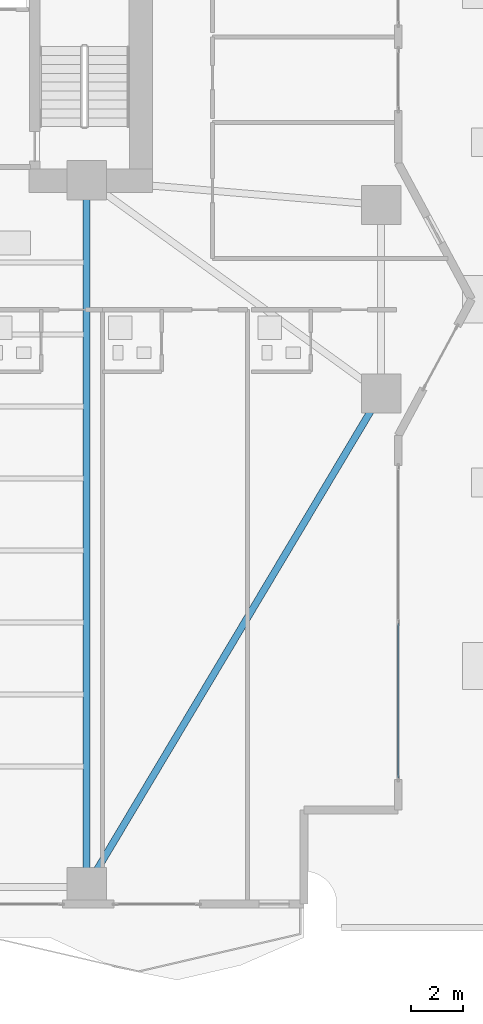
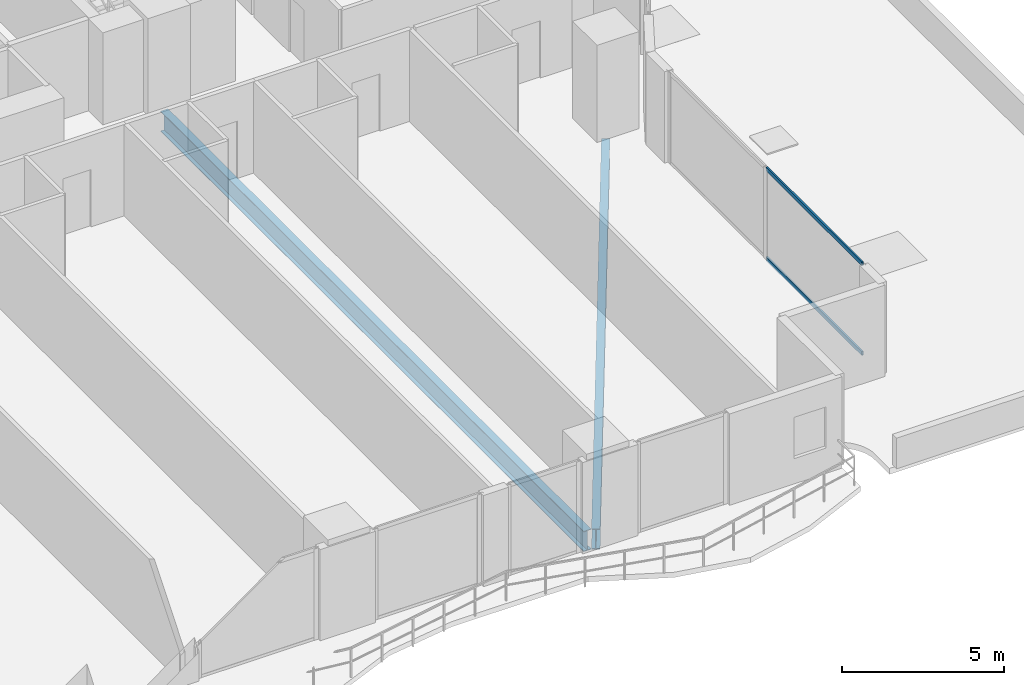
# One storey, part 9 of 30: 2 beams, 2 members, 1 element without a shape of its own.
"""IFC4 building model written with IfcOpenShell, lengths in metres."""

import ifcopenshell
import ifcopenshell.guid

model = None  # the IFC model being written
_history = None  # IfcOwnerHistory: only IFC2X3 demands one
_inside = {}  # id of a spatial element -> (the spatial element, [elements in it])
_under = {}  # id of a project, library or spatial element -> (it, [spatial elements below it])
_declared = {}  # id of a project -> (the project, [libraries it declares])
_typed = {}  # id of a type object -> (the type object, [elements of that type])
_made_of = {}  # id of a material, layer set ... -> (it, [elements and type objects made of it])


def new_model(schema):
    """Start an empty IFC model of exactly this schema.

    Asked for "IFC4X3", IfcOpenShell would pick the latest addendum, in which some entities
    have other attributes; the version numbers below select the first issue.
    IFC2X3 requires an IfcOwnerHistory on every rooted entity: one is made here for all.
    """
    global model, _history
    if schema == "IFC4X3":
        model = ifcopenshell.file(schema_version=(4, 3, 0, 0))
    else:
        model = ifcopenshell.file(schema=schema)
    _inside.clear()
    _under.clear()
    _declared.clear()
    _typed.clear()
    _made_of.clear()
    _history = None
    if model.schema == "IFC2X3":
        org = make("IfcOrganization", Name="unknown")
        user = make(
            "IfcPersonAndOrganization",
            ThePerson=make("IfcPerson", FamilyName="unknown"),
            TheOrganization=org,
        )
        app = make(
            "IfcApplication",
            ApplicationDeveloper=org,
            Version="unknown",
            ApplicationFullName="unknown",
            ApplicationIdentifier="unknown",
        )
        _history = make(
            "IfcOwnerHistory",
            OwningUser=user,
            OwningApplication=app,
            ChangeAction="ADDED",
            CreationDate=0,
        )
    return model


def make(cls, **values):
    """One entity of the class cls with the attributes given. An attribute that is None is left unset."""
    return model.create_entity(
        cls, **{name: value for name, value in values.items() if value is not None}
    )


def rooted(cls, **values):
    """An entity with a GlobalId (a new one), such as an element, a storey or a relation."""
    return make(cls, GlobalId=ifcopenshell.guid.new(), OwnerHistory=_history, **values)


def si_unit(unit_type, name, prefix=None):
    """IfcSIUnit, for example si_unit("LENGTHUNIT", "METRE", prefix="MILLI")."""
    return make("IfcSIUnit", UnitType=unit_type, Prefix=prefix, Name=name)


def assignment(units):
    """IfcUnitAssignment: the units of a project."""
    return None if units is None else make("IfcUnitAssignment", Units=units)


def point(xyz):
    """IfcCartesianPoint."""
    return None if xyz is None else make("IfcCartesianPoint", Coordinates=xyz)


def direction(xyz):
    """IfcDirection."""
    return None if xyz is None else make("IfcDirection", DirectionRatios=xyz)


def frame(location, z_axis=None, x_axis=None):
    """IfcAxis2Placement3D, a coordinate frame: its origin and axes. An axis left out is left unset."""
    return make(
        "IfcAxis2Placement3D",
        Location=point(location),
        Axis=direction(z_axis),
        RefDirection=direction(x_axis),
    )


def frame_2d(location, x_axis=None):
    """IfcAxis2Placement2D, a coordinate frame in the plane: its origin and x axis."""
    return make(
        "IfcAxis2Placement2D", Location=point(location), RefDirection=direction(x_axis)
    )


def origin():
    """The frame at (0, 0, 0) with its axes left unset."""
    return frame((0.0, 0.0, 0.0))


def origin_2d():
    """The frame at (0, 0) in the plane with its x axis left unset."""
    return frame_2d((0.0, 0.0))


def place(relative_to, where):
    """IfcLocalPlacement: puts the frame where relative to a parent placement (None: the world)."""
    return make(
        "IfcLocalPlacement", PlacementRelTo=relative_to, RelativePlacement=where
    )


def context(
    kind, dimensions, precision=None, world=None, true_north=None, identifier=None
):
    """IfcGeometricRepresentationContext, for example the 3D "Model" context."""
    return make(
        "IfcGeometricRepresentationContext",
        ContextIdentifier=identifier,
        ContextType=kind,
        CoordinateSpaceDimension=dimensions,
        Precision=precision,
        WorldCoordinateSystem=world,
        TrueNorth=true_north,
    )


def subcontext(parent, identifier, kind, view, scale=None):
    """IfcGeometricRepresentationSubContext, for example "Body" below "Model"."""
    return make(
        "IfcGeometricRepresentationSubContext",
        ContextIdentifier=identifier,
        ContextType=kind,
        ParentContext=parent,
        TargetScale=scale,
        TargetView=view,
    )


def project(units=None, contexts=None):
    """IfcProject with its units and contexts."""
    return rooted(
        "IfcProject",
        Name="project",
        RepresentationContexts=contexts,
        UnitsInContext=assignment(units),
    )


def spatial(cls, under=None, at=None, **own):
    """A site, building, storey or space (cls), placed at a placement, below another one or the project."""
    s = rooted(cls, ObjectPlacement=at, **own)
    if under is not None:
        _under.setdefault(under.id(), (under, []))[1].append(s)
    return s


def profile(cls, at=None, kind="AREA", **sizes):
    """A parametric profile (cls). Its sizes go by their IFC names, for example OverallWidth=200.0."""
    return make(cls, ProfileType=kind, Position=at, **sizes)


def hollow_rectangle(**sizes):
    """IfcRectangleHollowProfileDef."""
    return profile("IfcRectangleHollowProfileDef", **sizes)


def i_section(**sizes):
    """IfcIShapeProfileDef."""
    return profile("IfcIShapeProfileDef", **sizes)


def extrude(swept, where, along, depth):
    """IfcExtrudedAreaSolid: the profile swept, set in the frame where, extruded along a direction by depth."""
    return make(
        "IfcExtrudedAreaSolid",
        SweptArea=swept,
        Position=where,
        ExtrudedDirection=direction(along),
        Depth=depth,
    )


def shape(context_of_items, identifier, shape_type, items):
    """IfcShapeRepresentation: the items that make up one representation, for example the "Body"."""
    return make(
        "IfcShapeRepresentation",
        ContextOfItems=context_of_items,
        RepresentationIdentifier=identifier,
        RepresentationType=shape_type,
        Items=items,
    )


def material(Name=None, Category=None):
    """IfcMaterial."""
    return make("IfcMaterial", Name=Name, Category=Category)


def layer(
    of_material, thickness, ventilated=None, Name=None, Category=None, Priority=None
):
    """IfcMaterialLayer: one layer of a wall or slab, of a material (None: an air gap)."""
    return make(
        "IfcMaterialLayer",
        Material=of_material,
        LayerThickness=thickness,
        IsVentilated=ventilated,
        Name=Name,
        Category=Category,
        Priority=Priority,
    )


def layer_set(layers, Name=None):
    """IfcMaterialLayerSet."""
    return make("IfcMaterialLayerSet", MaterialLayers=layers, LayerSetName=Name)


def material_profile(
    of_material, cross_section, Name=None, Category=None, Priority=None
):
    """IfcMaterialProfile: a cross section and its material."""
    return make(
        "IfcMaterialProfile",
        Name=Name,
        Material=of_material,
        Profile=cross_section,
        Priority=Priority,
        Category=Category,
    )


def profile_set(profiles, Name=None, composite=None):
    """IfcMaterialProfileSet."""
    return make(
        "IfcMaterialProfileSet",
        Name=Name,
        MaterialProfiles=profiles,
        CompositeProfile=composite,
    )


def made_of(thing, what):
    """Note that an element or type object is made of a material, layer set ...; save() writes the relation."""
    if what is not None:
        _made_of.setdefault(what.id(), (what, []))[1].append(thing)
    return thing


def type_object(cls, material=None, **own):
    """A type object (cls), such as IfcWallType, which elements share."""
    return made_of(rooted(cls, **own), material)


def element(
    cls,
    number,
    at=None,
    inside=None,
    cuts=None,
    type_object=None,
    material=None,
    context=None,
    identifier="Body",
    shape_type=None,
    held_by="IfcProductDefinitionShape",
    body=None,
    shapes=None,
    **own,
):
    """One element of the class cls, such as IfcWall. Its Tag is "e" and its number.

    at: its placement. inside: the storey or other place that contains it. cuts: it is an
    opening in that element (IfcRelVoidsElement). A single representation is given by context,
    identifier, shape_type and body (its items); several are given by shapes. held_by: the class
    of the entity that holds the representations. save() writes the other relations.
    """
    e = rooted(cls, Tag="e%d" % number, ObjectPlacement=at, **own)
    if body is not None:
        shapes = [shape(context, identifier, shape_type, body)]
    if shapes is not None:
        e.Representation = make(held_by, Representations=shapes)
    if inside is not None:
        _inside.setdefault(inside.id(), (inside, []))[1].append(e)
    if cuts is not None:
        rooted(
            "IfcRelVoidsElement", RelatingBuildingElement=cuts, RelatedOpeningElement=e
        )
    if type_object is not None:
        _typed.setdefault(type_object.id(), (type_object, []))[1].append(e)
    return made_of(e, material)


def aggregate(whole, parts):
    """IfcRelAggregates: a whole, such as a stair, and the parts it consists of."""
    return rooted("IfcRelAggregates", RelatingObject=whole, RelatedObjects=parts)


def save(model, path):
    """Write the relations noted so far, then the file.

    IfcRelAggregates (storeys below a building ...), IfcRelContainedInSpatialStructure (elements
    in a storey), IfcRelDefinesByType, IfcRelAssociatesMaterial and IfcRelDeclares: one each for
    every whole, place, type object, material and project.
    """
    for whole, parts in _under.values():
        aggregate(whole, parts)
    for where, things in _inside.values():
        rooted(
            "IfcRelContainedInSpatialStructure",
            RelatedElements=things,
            RelatingStructure=where,
        )
    for kind, things in _typed.values():
        rooted("IfcRelDefinesByType", RelatedObjects=things, RelatingType=kind)
    for what, things in _made_of.values():
        rooted("IfcRelAssociatesMaterial", RelatedObjects=things, RelatingMaterial=what)
    for by, libraries in _declared.values():
        rooted("IfcRelDeclares", RelatingContext=by, RelatedDefinitions=libraries)
    model.write(path)


model = new_model("IFC4")

# Units and contexts
model_context = context("Model", 3, precision=1e-05, world=origin(), true_north=direction((0.0, 1.0)))
body_context = subcontext(model_context, "Body", "Model", "MODEL_VIEW")
ifc_project = project(units=[si_unit("LENGTHUNIT", "METRE"), si_unit("AREAUNIT", "SQUARE_METRE"), si_unit("VOLUMEUNIT", "CUBIC_METRE"), si_unit("PLANEANGLEUNIT", "RADIAN"), si_unit("MASSUNIT", "GRAM", prefix="KILO")], contexts=[model_context])

# Site, building, storey
site_placement = place(None, origin())
site = spatial("IfcSite", under=ifc_project, at=site_placement, CompositionType="ELEMENT")
building_placement = place(site_placement, origin())
building = spatial("IfcBuilding", under=site, at=building_placement, Name="Zuhayl Quay Hotel", CompositionType="ELEMENT")
storey_placement = place(building_placement, frame((0.0, 0.0, 27.60009765625)))
storey = spatial("IfcBuildingStorey", under=building, at=storey_placement, Name="L05", CompositionType="ELEMENT", Elevation=27.60009765625)

# Beams
ifc_material_1 = material(Name="Steel ASTM A992 Grade 50", Category="steel")
ifc_material_profile_1 = material_profile(ifc_material_1, i_section(OverallWidth=0.26708984375, OverallDepth=0.761962890625, WebThickness=0.014404296875, FlangeThickness=0.021484375, at=origin_2d()), Name="W30X116")
ifc_profile_set_1 = profile_set([ifc_material_profile_1], Name="Steel ASTM A992 Grade 50")
beam_type = type_object("IfcBeamType", Name="BM_B1_W30X116", PredefinedType="BEAM", material=ifc_profile_set_1)
beam_1_placement = place(storey_placement, frame((14.05615234375, -22.020751953125, -0.60107421875), z_axis=(0.512482593247, 0.85869761361, 0.0), x_axis=(-0.85869761361, 0.512482593247, 0.0)))
element("IfcBeam", 1, at=beam_1_placement, inside=storey, type_object=beam_type, Name="L05 Floor Beam RG_L05_04", PredefinedType="BEAM", context=body_context, shape_type="SweptSolid", body=[
    extrude(i_section(OverallWidth=0.26708984375, OverallDepth=0.761962890625, WebThickness=0.014404296875, FlangeThickness=0.021484375, at=origin_2d()), origin(), (0.0, 0.0, 1.0), 20.9521484375),
])
beam_2_placement = place(storey_placement, frame((13.800048828125, -21.949951171875, -0.60107421875), z_axis=(0.0, 1.0, 0.0), x_axis=(-1.0, 0.0, 0.0)))
element("IfcBeam", 2, at=beam_2_placement, inside=storey, type_object=beam_type, Name="L05 Floor Beam FG_S_L05_4", PredefinedType="BEAM", context=body_context, shape_type="SweptSolid", body=[
    extrude(i_section(OverallWidth=0.26708984375, OverallDepth=0.761962890625, WebThickness=0.014404296875, FlangeThickness=0.021484375, at=origin_2d()), origin(), (0.0, 0.0, 1.0), 26.050048828125),
])

# Curtain wall, members
ifc_material_2 = material(Name="Anodised Aluminium 6063-T6", Category="aluminium")
ifc_layer = layer(ifc_material_2, 0.18994140625, Name="Anodised Aluminium 6063-T6", Category="aluminium")
ifc_layer_set = layer_set([ifc_layer], Name="Anodised Aluminium 6063-T6")
curtain_wall_type = type_object("IfcCurtainWallType", Name="CW_SYS_Z1", PredefinedType="USERDEFINED", material=ifc_layer_set)
curtain_wall_placement = place(storey_placement, origin())
curtain_wall = element("IfcCurtainWall", 3, at=curtain_wall_placement, inside=storey, type_object=curtain_wall_type, Name="L05 Curtain Wall ENV_L05_E14_CW1", ObjectType="UNITISED CURTAIN WALL", PredefinedType="USERDEFINED")
ifc_material_3 = material(Name="Black-anodised aluminium 6063-T6", Category="aluminium")
ifc_material_profile_2 = material_profile(ifc_material_3, hollow_rectangle(XDim=0.06005859375, YDim=0.14990234375, WallThickness=0.00341796875, at=origin_2d()), Name="ALU150X60")
ifc_profile_set_2 = profile_set([ifc_material_profile_2], Name="Black-anodised aluminium 6063-T6")
member_type = type_object("IfcMemberType", Name="MB_CW_TRN_150", PredefinedType="USERDEFINED", material=ifc_profile_set_2)
member_1_placement = place(storey_placement, frame((25.699951171875, -12.387451171875, 0.02978515625), z_axis=(0.0, -1.0, 0.0), x_axis=(1.0, 0.0, 0.0)))
member_1 = element("IfcMember", 4, at=member_1_placement, type_object=member_type, Name="CW-Z1 transom 2.1", ObjectType="TRANSOM", PredefinedType="USERDEFINED", context=body_context, shape_type="SweptSolid", body=[
    extrude(hollow_rectangle(XDim=0.06005859375, YDim=0.14990234375, WallThickness=0.00341796875, at=origin_2d()), origin(), (0.0, 0.0, 1.0), 5.887451171875),
])
member_2_placement = place(storey_placement, frame((25.699951171875, -12.387451171875, 3.39990234375), z_axis=(0.0, -1.0, 0.0), x_axis=(1.0, 0.0, 0.0)))
member_2 = element("IfcMember", 5, at=member_2_placement, type_object=member_type, Name="CW-Z1 transom 2.2", ObjectType="TRANSOM", PredefinedType="USERDEFINED", context=body_context, shape_type="SweptSolid", body=[
    extrude(hollow_rectangle(XDim=0.06005859375, YDim=0.14990234375, WallThickness=0.00341796875, at=origin_2d()), origin(), (0.0, 0.0, 1.0), 5.887451171875),
])
aggregate(curtain_wall, [member_1, member_2])

save(model, "model.ifc")
